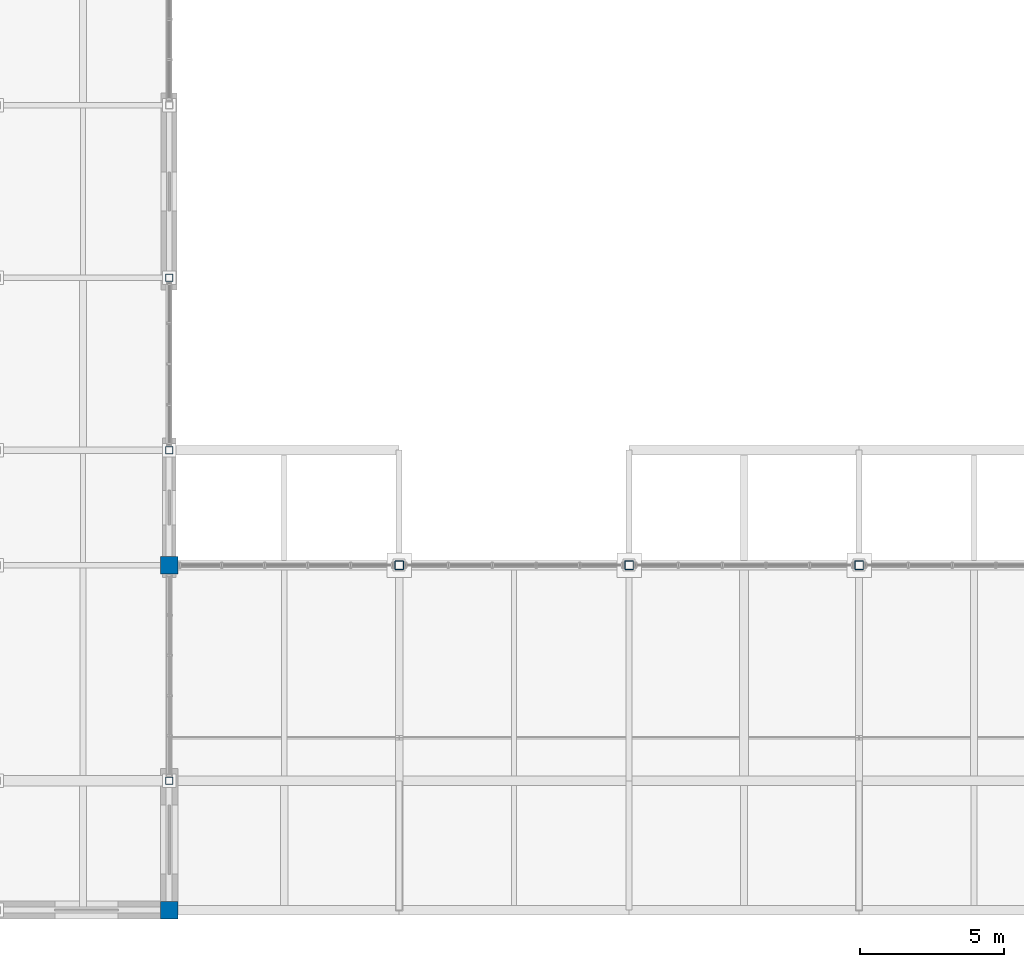
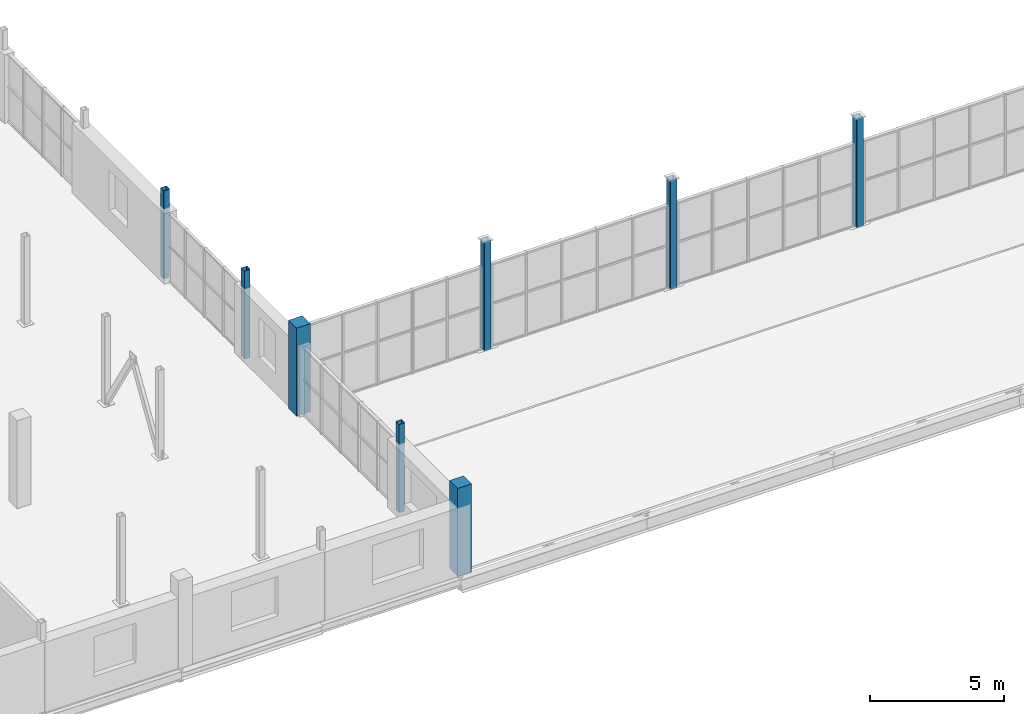
# One storey, part 3 of 96: 8 columns.
"""IFC4 building model written with IfcOpenShell, lengths in metres."""

from ifc_helpers import new_model, si_unit, direction, frame, origin, origin_2d, place, context, subcontext, project, spatial, rectangle, hollow_rectangle, extrude, material, material_profile, profile_set, type_object, element, save


model = new_model("IFC4")

# Units and contexts
model_context = context("Model", 3, precision=1e-05, world=origin(), true_north=direction((0.0, 1.0)))
body_context = subcontext(model_context, "Body", "Model", "MODEL_VIEW")
ifc_project = project(units=[si_unit("LENGTHUNIT", "METRE"), si_unit("AREAUNIT", "SQUARE_METRE"), si_unit("VOLUMEUNIT", "CUBIC_METRE"), si_unit("PLANEANGLEUNIT", "RADIAN"), si_unit("MASSUNIT", "GRAM", prefix="KILO")], contexts=[model_context])

# Site, building, storey
site_placement = place(None, origin())
site = spatial("IfcSite", under=ifc_project, at=site_placement, CompositionType="ELEMENT")
building_placement = place(site_placement, origin())
building = spatial("IfcBuilding", under=site, at=building_placement, Name="Verrall Gate Interchange", CompositionType="ELEMENT")
storey_placement = place(building_placement, frame((0.0, 0.0, 11.39990234375)))
storey = spatial("IfcBuildingStorey", under=building, at=storey_placement, Name="L03", CompositionType="ELEMENT", Elevation=11.39990234375)

# Columns
ifc_material_1 = material(Name="Concrete CSA A23.1 40 MPa (Class N)", Category="concrete")
ifc_material_profile_1 = material_profile(ifc_material_1, rectangle(XDim=0.60009765625, YDim=0.60009765625, at=origin_2d()), Name="RC600x600")
ifc_profile_set_1 = profile_set([ifc_material_profile_1], Name="Concrete CSA A23.1 40 MPa (Class N)")
column_type_1 = type_object("IfcColumnType", Name="C-04 Column RC600x600", PredefinedType="COLUMN", material=ifc_profile_set_1)
for number, where, z_axis, x_axis, name in (
    (1, (36.0, 0.0, 0.0), (0.0, 0.0, 1.0), (1.0, 0.0, 0.0), "L03 Column COL-L03-0720 (C-04)"),
    (2, (36.0, 12.0, 0.0), (0.0, 0.0, 1.0), (1.0, 0.0, 0.0), "L03 Column COL-L03-0734 (C-04)"),
):
    element("IfcColumn", number, at=place(storey_placement, frame(where, z_axis=z_axis, x_axis=x_axis)), inside=storey, type_object=column_type_1, Name=name, PredefinedType="COLUMN", context=body_context, shape_type="SweptSolid", body=[
        extrude(rectangle(XDim=0.60009765625, YDim=0.60009765625, at=origin_2d()), origin(), (0.0, 0.0, 1.0), 4.0),
    ])
ifc_material_2 = material(Name="Structural Steel CSA G40.21 350WT Cat 4", Category="steel")
ifc_material_profile_2 = material_profile(ifc_material_2, hollow_rectangle(XDim=0.304931640625, YDim=0.304931640625, WallThickness=0.0126953125, InnerFilletRadius=0.0126953125, OuterFilletRadius=0.025390625, at=origin_2d()), Name="HSS305x305x13")
ifc_profile_set_2 = profile_set([ifc_material_profile_2], Name="Structural Steel CSA G40.21 350WT Cat 4")
column_type_2 = type_object("IfcColumnType", Name="C-12 Column HSS305x305x13", PredefinedType="COLUMN", material=ifc_profile_set_2)
for number, where, z_axis, x_axis, name in (
    (3, (44.0, 12.0, 0.0), (0.0, 0.0, 1.0), (1.0, 0.0, 0.0), "Grand Concourse Roof Pier Column COL-L03-V1R-1511"),
    (4, (52.0, 12.0, 0.0), (0.0, 0.0, 1.0), (1.0, 0.0, 0.0), "Grand Concourse Roof Pier Column COL-L03-V1R-1513"),
    (5, (60.0, 12.0, 0.0), (0.0, 0.0, 1.0), (1.0, 0.0, 0.0), "Grand Concourse Roof Pier Column COL-L03-V1R-1515"),
):
    element("IfcColumn", number, at=place(storey_placement, frame(where, z_axis=z_axis, x_axis=x_axis)), inside=storey, type_object=column_type_2, Name=name, PredefinedType="COLUMN", context=body_context, shape_type="SweptSolid", body=[
        extrude(hollow_rectangle(XDim=0.304931640625, YDim=0.304931640625, WallThickness=0.0126953125, InnerFilletRadius=0.0126953125, OuterFilletRadius=0.025390625, at=origin_2d()), origin(), (0.0, 0.0, 1.0), 4.960205078125),
    ])
ifc_material_3 = material(Name="Structural Steel CSA G40.21 350WT Cat 4", Category="steel")
ifc_material_profile_3 = material_profile(ifc_material_3, hollow_rectangle(XDim=0.25390625, YDim=0.25390625, WallThickness=0.009521484375, InnerFilletRadius=0.009521484375, OuterFilletRadius=0.01904296875, at=origin_2d()), Name="HSS254x254x9.5")
ifc_profile_set_3 = profile_set([ifc_material_profile_3], Name="Structural Steel CSA G40.21 350WT Cat 4")
column_type_3 = type_object("IfcColumnType", Name="C-13 Column HSS254x254x9.5", PredefinedType="COLUMN", material=ifc_profile_set_3)
for number, where, z_axis, x_axis, name in (
    (6, (36.0, 4.5, 0.0), (0.0, 0.0, 1.0), (1.0, 0.0, 0.0), "L03 Column COL-L03-0726 (C-13)"),
    (7, (36.0, 16.0, 0.0), (0.0, 0.0, 1.0), (1.0, 0.0, 0.0), "L03 Column COL-L03-0742 (C-13)"),
    (8, (36.0, 22.0, 0.0), (0.0, 0.0, 1.0), (1.0, 0.0, 0.0), "L03 Column COL-L03-0750 (C-13)"),
):
    element("IfcColumn", number, at=place(storey_placement, frame(where, z_axis=z_axis, x_axis=x_axis)), inside=storey, type_object=column_type_3, Name=name, PredefinedType="COLUMN", context=body_context, shape_type="SweptSolid", body=[
        extrude(hollow_rectangle(XDim=0.25390625, YDim=0.25390625, WallThickness=0.009521484375, InnerFilletRadius=0.009521484375, OuterFilletRadius=0.01904296875, at=origin_2d()), origin(), (0.0, 0.0, 1.0), 4.0),
    ])

save(model, "model.ifc")
